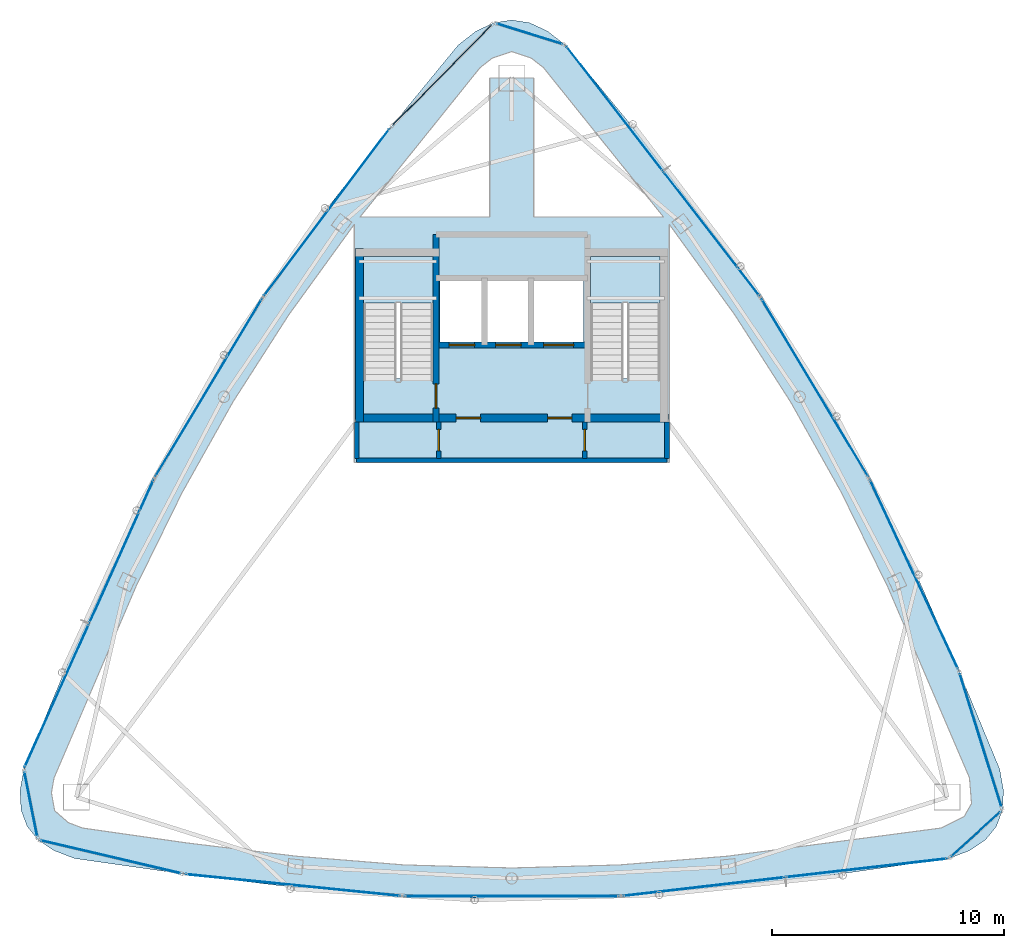
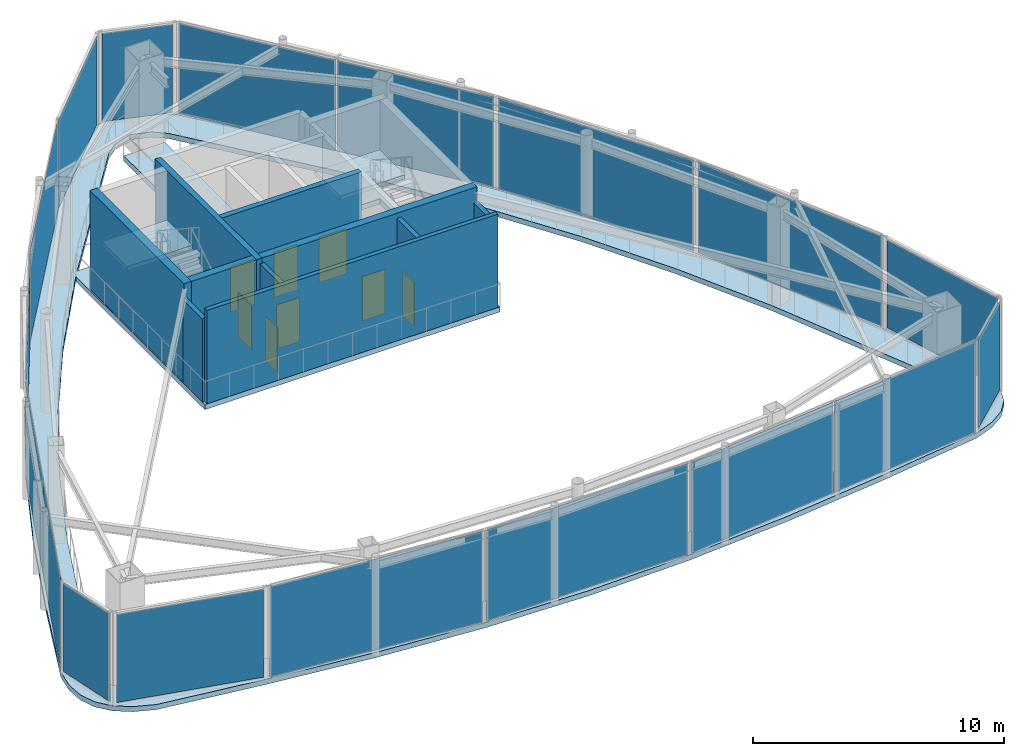
# One storey, part 15 of 19: 18 plates, 9 walls, 8 doors, 3 slabs, 8 openings, 17 elements without a shape of their own.
"""IFC4 building model written with IfcOpenShell, lengths in metres."""

import ifcopenshell
import ifcopenshell.guid

model = None  # the IFC model being written
_history = None  # IfcOwnerHistory: only IFC2X3 demands one
_inside = {}  # id of a spatial element -> (the spatial element, [elements in it])
_under = {}  # id of a project, library or spatial element -> (it, [spatial elements below it])
_declared = {}  # id of a project -> (the project, [libraries it declares])
_typed = {}  # id of a type object -> (the type object, [elements of that type])
_made_of = {}  # id of a material, layer set ... -> (it, [elements and type objects made of it])


def new_model(schema):
    """Start an empty IFC model of exactly this schema.

    Asked for "IFC4X3", IfcOpenShell would pick the latest addendum, in which some entities
    have other attributes; the version numbers below select the first issue.
    IFC2X3 requires an IfcOwnerHistory on every rooted entity: one is made here for all.
    """
    global model, _history
    if schema == "IFC4X3":
        model = ifcopenshell.file(schema_version=(4, 3, 0, 0))
    else:
        model = ifcopenshell.file(schema=schema)
    _inside.clear()
    _under.clear()
    _declared.clear()
    _typed.clear()
    _made_of.clear()
    _history = None
    if model.schema == "IFC2X3":
        org = make("IfcOrganization", Name="unknown")
        user = make(
            "IfcPersonAndOrganization",
            ThePerson=make("IfcPerson", FamilyName="unknown"),
            TheOrganization=org,
        )
        app = make(
            "IfcApplication",
            ApplicationDeveloper=org,
            Version="unknown",
            ApplicationFullName="unknown",
            ApplicationIdentifier="unknown",
        )
        _history = make(
            "IfcOwnerHistory",
            OwningUser=user,
            OwningApplication=app,
            ChangeAction="ADDED",
            CreationDate=0,
        )
    return model


def make(cls, **values):
    """One entity of the class cls with the attributes given. An attribute that is None is left unset."""
    return model.create_entity(
        cls, **{name: value for name, value in values.items() if value is not None}
    )


def rooted(cls, **values):
    """An entity with a GlobalId (a new one), such as an element, a storey or a relation."""
    return make(cls, GlobalId=ifcopenshell.guid.new(), OwnerHistory=_history, **values)


def si_unit(unit_type, name, prefix=None):
    """IfcSIUnit, for example si_unit("LENGTHUNIT", "METRE", prefix="MILLI")."""
    return make("IfcSIUnit", UnitType=unit_type, Prefix=prefix, Name=name)


def assignment(units):
    """IfcUnitAssignment: the units of a project."""
    return None if units is None else make("IfcUnitAssignment", Units=units)


def point(xyz):
    """IfcCartesianPoint."""
    return None if xyz is None else make("IfcCartesianPoint", Coordinates=xyz)


def direction(xyz):
    """IfcDirection."""
    return None if xyz is None else make("IfcDirection", DirectionRatios=xyz)


def frame(location, z_axis=None, x_axis=None):
    """IfcAxis2Placement3D, a coordinate frame: its origin and axes. An axis left out is left unset."""
    return make(
        "IfcAxis2Placement3D",
        Location=point(location),
        Axis=direction(z_axis),
        RefDirection=direction(x_axis),
    )


def frame_2d(location, x_axis=None):
    """IfcAxis2Placement2D, a coordinate frame in the plane: its origin and x axis."""
    return make(
        "IfcAxis2Placement2D", Location=point(location), RefDirection=direction(x_axis)
    )


def origin():
    """The frame at (0, 0, 0) with its axes left unset."""
    return frame((0.0, 0.0, 0.0))


def origin_2d():
    """The frame at (0, 0) in the plane with its x axis left unset."""
    return frame_2d((0.0, 0.0))


def place(relative_to, where):
    """IfcLocalPlacement: puts the frame where relative to a parent placement (None: the world)."""
    return make(
        "IfcLocalPlacement", PlacementRelTo=relative_to, RelativePlacement=where
    )


def context(
    kind, dimensions, precision=None, world=None, true_north=None, identifier=None
):
    """IfcGeometricRepresentationContext, for example the 3D "Model" context."""
    return make(
        "IfcGeometricRepresentationContext",
        ContextIdentifier=identifier,
        ContextType=kind,
        CoordinateSpaceDimension=dimensions,
        Precision=precision,
        WorldCoordinateSystem=world,
        TrueNorth=true_north,
    )


def subcontext(parent, identifier, kind, view, scale=None):
    """IfcGeometricRepresentationSubContext, for example "Body" below "Model"."""
    return make(
        "IfcGeometricRepresentationSubContext",
        ContextIdentifier=identifier,
        ContextType=kind,
        ParentContext=parent,
        TargetScale=scale,
        TargetView=view,
    )


def project(units=None, contexts=None):
    """IfcProject with its units and contexts."""
    return rooted(
        "IfcProject",
        Name="project",
        RepresentationContexts=contexts,
        UnitsInContext=assignment(units),
    )


def spatial(cls, under=None, at=None, **own):
    """A site, building, storey or space (cls), placed at a placement, below another one or the project."""
    s = rooted(cls, ObjectPlacement=at, **own)
    if under is not None:
        _under.setdefault(under.id(), (under, []))[1].append(s)
    return s


def polyline(points):
    """IfcPolyline through the points."""
    return make("IfcPolyline", Points=[point(p) for p in points])


def profile(cls, at=None, kind="AREA", **sizes):
    """A parametric profile (cls). Its sizes go by their IFC names, for example OverallWidth=200.0."""
    return make(cls, ProfileType=kind, Position=at, **sizes)


def rectangle(**sizes):
    """IfcRectangleProfileDef."""
    return profile("IfcRectangleProfileDef", **sizes)


def outline(outer, holes=None, kind="AREA"):
    """IfcArbitraryClosedProfileDef: a profile drawn as a closed curve; with holes, ...WithVoids."""
    if holes is None:
        return make("IfcArbitraryClosedProfileDef", ProfileType=kind, OuterCurve=outer)
    return make(
        "IfcArbitraryProfileDefWithVoids",
        ProfileType=kind,
        OuterCurve=outer,
        InnerCurves=holes,
    )


def extrude(swept, where, along, depth):
    """IfcExtrudedAreaSolid: the profile swept, set in the frame where, extruded along a direction by depth."""
    return make(
        "IfcExtrudedAreaSolid",
        SweptArea=swept,
        Position=where,
        ExtrudedDirection=direction(along),
        Depth=depth,
    )


def shape(context_of_items, identifier, shape_type, items):
    """IfcShapeRepresentation: the items that make up one representation, for example the "Body"."""
    return make(
        "IfcShapeRepresentation",
        ContextOfItems=context_of_items,
        RepresentationIdentifier=identifier,
        RepresentationType=shape_type,
        Items=items,
    )


def material(Name=None, Category=None):
    """IfcMaterial."""
    return make("IfcMaterial", Name=Name, Category=Category)


def layer(
    of_material, thickness, ventilated=None, Name=None, Category=None, Priority=None
):
    """IfcMaterialLayer: one layer of a wall or slab, of a material (None: an air gap)."""
    return make(
        "IfcMaterialLayer",
        Material=of_material,
        LayerThickness=thickness,
        IsVentilated=ventilated,
        Name=Name,
        Category=Category,
        Priority=Priority,
    )


def layer_set(layers, Name=None):
    """IfcMaterialLayerSet."""
    return make("IfcMaterialLayerSet", MaterialLayers=layers, LayerSetName=Name)


def made_of(thing, what):
    """Note that an element or type object is made of a material, layer set ...; save() writes the relation."""
    if what is not None:
        _made_of.setdefault(what.id(), (what, []))[1].append(thing)
    return thing


def type_object(cls, material=None, **own):
    """A type object (cls), such as IfcWallType, which elements share."""
    return made_of(rooted(cls, **own), material)


def element(
    cls,
    number,
    at=None,
    inside=None,
    cuts=None,
    type_object=None,
    material=None,
    context=None,
    identifier="Body",
    shape_type=None,
    held_by="IfcProductDefinitionShape",
    body=None,
    shapes=None,
    **own,
):
    """One element of the class cls, such as IfcWall. Its Tag is "e" and its number.

    at: its placement. inside: the storey or other place that contains it. cuts: it is an
    opening in that element (IfcRelVoidsElement). A single representation is given by context,
    identifier, shape_type and body (its items); several are given by shapes. held_by: the class
    of the entity that holds the representations. save() writes the other relations.
    """
    e = rooted(cls, Tag="e%d" % number, ObjectPlacement=at, **own)
    if body is not None:
        shapes = [shape(context, identifier, shape_type, body)]
    if shapes is not None:
        e.Representation = make(held_by, Representations=shapes)
    if inside is not None:
        _inside.setdefault(inside.id(), (inside, []))[1].append(e)
    if cuts is not None:
        rooted(
            "IfcRelVoidsElement", RelatingBuildingElement=cuts, RelatedOpeningElement=e
        )
    if type_object is not None:
        _typed.setdefault(type_object.id(), (type_object, []))[1].append(e)
    return made_of(e, material)


def fill(opening, filler):
    """IfcRelFillsElement: the door or window that sits in an opening."""
    return rooted(
        "IfcRelFillsElement",
        RelatingOpeningElement=opening,
        RelatedBuildingElement=filler,
    )


def aggregate(whole, parts):
    """IfcRelAggregates: a whole, such as a stair, and the parts it consists of."""
    return rooted("IfcRelAggregates", RelatingObject=whole, RelatedObjects=parts)


def save(model, path):
    """Write the relations noted so far, then the file.

    IfcRelAggregates (storeys below a building ...), IfcRelContainedInSpatialStructure (elements
    in a storey), IfcRelDefinesByType, IfcRelAssociatesMaterial and IfcRelDeclares: one each for
    every whole, place, type object, material and project.
    """
    for whole, parts in _under.values():
        aggregate(whole, parts)
    for where, things in _inside.values():
        rooted(
            "IfcRelContainedInSpatialStructure",
            RelatedElements=things,
            RelatingStructure=where,
        )
    for kind, things in _typed.values():
        rooted("IfcRelDefinesByType", RelatedObjects=things, RelatingType=kind)
    for what, things in _made_of.values():
        rooted("IfcRelAssociatesMaterial", RelatedObjects=things, RelatingMaterial=what)
    for by, libraries in _declared.values():
        rooted("IfcRelDeclares", RelatingContext=by, RelatedDefinitions=libraries)
    model.write(path)


model = new_model("IFC4")

# Units and contexts
model_context = context("Model", 3, precision=1e-05, world=origin(), true_north=direction((0.0, 1.0)))
body_context = subcontext(model_context, "Body", "Model", "MODEL_VIEW")
ifc_project = project(units=[si_unit("LENGTHUNIT", "METRE"), si_unit("AREAUNIT", "SQUARE_METRE"), si_unit("VOLUMEUNIT", "CUBIC_METRE"), si_unit("PLANEANGLEUNIT", "RADIAN"), si_unit("MASSUNIT", "GRAM", prefix="KILO")], contexts=[model_context])

# Site, building, storey
site_placement = place(None, origin())
site = spatial("IfcSite", under=ifc_project, at=site_placement, CompositionType="ELEMENT")
building_placement = place(site_placement, origin())
building = spatial("IfcBuilding", under=site, at=building_placement, Name="Orvanel Arch Residences", CompositionType="ELEMENT")
storey_placement = place(building_placement, frame((0.0, 0.0, 286.10009765625)))
storey = spatial("IfcBuildingStorey", under=building, at=storey_placement, Name="L81", CompositionType="ELEMENT", Elevation=286.10009765625)

# Curtain wall, plate
ifc_material_1 = material(Name="Bronze-anodised aluminium AA6063-T6", Category="aluminium")
ifc_layer_1 = layer(ifc_material_1, 0.2099609375)
ifc_layer_set_1 = layer_set([ifc_layer_1], Name="Bronze-anodised aluminium AA6063-T6")
curtain_wall_type = type_object("IfcCurtainWallType", Name="CW7-TOP-SYS", PredefinedType="NOTDEFINED", material=ifc_layer_set_1)
curtain_wall_1_placement = place(storey_placement, origin())
curtain_wall_1 = element("IfcCurtainWall", 1, at=curtain_wall_1_placement, inside=storey, type_object=curtain_wall_type, Name="L81 CW7-TOP-SYS Unitised Curtain Wall", PredefinedType="NOTDEFINED")
ifc_material_2 = material(Name="Double-glazed solar-control low-E safety glass", Category="glass")
ifc_layer_2 = layer(ifc_material_2, 0.031982421875)
ifc_layer_set_2 = layer_set([ifc_layer_2], Name="Double-glazed solar-control low-E safety glass")
plate_type = type_object("IfcPlateType", Name="PNL-GLZ-32", PredefinedType="CURTAIN_PANEL", material=ifc_layer_set_2)
plate_1_placement = place(storey_placement, frame((33.771484375, 43.30859375, 0.1298828125), z_axis=(0.0, 0.0, 1.0), x_axis=(-0.954819263057, 0.297187104186, 0.0)))
plate_1 = element("IfcPlate", 2, at=plate_1_placement, type_object=plate_type, Name="CW-S7 panel 1.1", PredefinedType="CURTAIN_PANEL", context=body_context, shape_type="SweptSolid", body=[
    extrude(rectangle(XDim=2.893310546875, YDim=0.031982421875, at=origin_2d()), origin(), (0.0, 0.0, 1.0), 4.2900390625),
])
aggregate(curtain_wall_1, [plate_1])

curtain_wall_2_placement = place(storey_placement, origin())
curtain_wall_2 = element("IfcCurtainWall", 3, at=curtain_wall_2_placement, inside=storey, type_object=curtain_wall_type, Name="L81 CW7-TOP-SYS Unitised Curtain Wall", PredefinedType="NOTDEFINED")
plate_2_placement = place(storey_placement, frame((29.99560546875, 41.528564453125, 0.1298828125), z_axis=(0.0, 0.0, 1.0), x_axis=(-0.702658700907, -0.71152705503, 0.0)))
plate_2 = element("IfcPlate", 4, at=plate_2_placement, type_object=plate_type, Name="CW-S7 panel 1.1", PredefinedType="CURTAIN_PANEL", context=body_context, shape_type="SweptSolid", body=[
    extrude(rectangle(XDim=6.0146484375, YDim=0.031982421875, at=origin_2d()), origin(), (0.0, 0.0, 1.0), 4.2900390625),
])
aggregate(curtain_wall_2, [plate_2])

curtain_wall_3_placement = place(storey_placement, origin())
curtain_wall_3 = element("IfcCurtainWall", 5, at=curtain_wall_3_placement, inside=storey, type_object=curtain_wall_type, Name="L81 CW7-TOP-SYS Unitised Curtain Wall", PredefinedType="NOTDEFINED")
plate_3_placement = place(storey_placement, frame((12.236572265625, 10.03857421875, 0.1298828125), z_axis=(0.0, 0.0, 1.0), x_axis=(0.195615366274, -0.980680696495, 0.0)))
plate_3 = element("IfcPlate", 6, at=plate_3_placement, type_object=plate_type, Name="CW-S7 panel 1.1", PredefinedType="CURTAIN_PANEL", context=body_context, shape_type="SweptSolid", body=[
    extrude(rectangle(XDim=2.7724609375, YDim=0.031982421875, at=origin_2d()), origin(), (0.0, 0.0, 1.0), 4.2900390625),
])
aggregate(curtain_wall_3, [plate_3])

curtain_wall_4_placement = place(storey_placement, origin())
curtain_wall_4 = element("IfcCurtainWall", 7, at=curtain_wall_4_placement, inside=storey, type_object=curtain_wall_type, Name="L81 CW7-TOP-SYS Unitised Curtain Wall", PredefinedType="NOTDEFINED")
plate_4_placement = place(storey_placement, frame((15.689453125, 7.77197265625, 0.1298828125), z_axis=(0.0, 0.0, 1.0), x_axis=(0.973510919271, -0.22864052585, 0.0)))
plate_4 = element("IfcPlate", 8, at=plate_4_placement, type_object=plate_type, Name="CW-S7 panel 1.1", PredefinedType="CURTAIN_PANEL", context=body_context, shape_type="SweptSolid", body=[
    extrude(rectangle(XDim=6.12939453125, YDim=0.031982421875, at=origin_2d()), origin(), (0.0, 0.0, 1.0), 4.2900390625),
])
aggregate(curtain_wall_4, [plate_4])

curtain_wall_5_placement = place(storey_placement, origin())
curtain_wall_5 = element("IfcCurtainWall", 9, at=curtain_wall_5_placement, inside=storey, type_object=curtain_wall_type, Name="L81 CW7-TOP-SYS Unitised Curtain Wall", PredefinedType="NOTDEFINED")
plate_5_placement = place(storey_placement, frame((53.035400390625, 8.75244140625, 0.1298828125), z_axis=(0.0, 0.0, 1.0), x_axis=(0.740131415499, 0.672462257522, 0.0)))
plate_5 = element("IfcPlate", 10, at=plate_5_placement, type_object=plate_type, Name="CW-S7 panel 1.1", PredefinedType="CURTAIN_PANEL", context=body_context, shape_type="SweptSolid", body=[
    extrude(rectangle(XDim=2.773681640625, YDim=0.031982421875, at=origin_2d()), origin(), (0.0, 0.0, 1.0), 4.2900390625),
])
aggregate(curtain_wall_5, [plate_5])

curtain_wall_6_placement = place(storey_placement, origin())
curtain_wall_6 = element("IfcCurtainWall", 11, at=curtain_wall_6_placement, inside=storey, type_object=curtain_wall_type, Name="L81 CW7-TOP-SYS Unitised Curtain Wall", PredefinedType="NOTDEFINED")
plate_6_placement = place(storey_placement, frame((53.2451171875, 12.8095703125, 0.1298828125), z_axis=(0.0, 0.0, 1.0), x_axis=(-0.298901573542, 0.954283945864, 0.0)))
plate_6 = element("IfcPlate", 12, at=plate_6_placement, type_object=plate_type, Name="CW-S7 panel 1.1", PredefinedType="CURTAIN_PANEL", context=body_context, shape_type="SweptSolid", body=[
    extrude(rectangle(XDim=5.9697265625, YDim=0.031982421875, at=origin_2d()), origin(), (0.0, 0.0, 1.0), 4.2900390625),
])
aggregate(curtain_wall_6, [plate_6])

curtain_wall_7_placement = place(storey_placement, origin())
curtain_wall_7 = element("IfcCurtainWall", 13, at=curtain_wall_7_placement, inside=storey, type_object=curtain_wall_type, Name="L81 CW7-TOP-SYS Unitised Curtain Wall", PredefinedType="NOTDEFINED")
plate_7_placement = place(storey_placement, frame((25.009521484375, 35.60498046875, 0.06494140625), z_axis=(0.0, 0.0, 1.0), x_axis=(-0.600876351509, -0.799341985759, 0.0)))
plate_7 = element("IfcPlate", 14, at=plate_7_placement, type_object=plate_type, Name="CW-S7 panel 1.1", PredefinedType="CURTAIN_PANEL", context=body_context, shape_type="SweptSolid", body=[
    extrude(rectangle(XDim=8.97509765625, YDim=0.031982421875, at=origin_2d()), origin(), (0.0, 0.0, 1.0), 4.419921875),
])
aggregate(curtain_wall_7, [plate_7])

curtain_wall_8_placement = place(storey_placement, origin())
curtain_wall_8 = element("IfcCurtainWall", 15, at=curtain_wall_8_placement, inside=storey, type_object=curtain_wall_type, Name="L81 CW7-TOP-SYS Unitised Curtain Wall", PredefinedType="NOTDEFINED")
plate_8_placement = place(storey_placement, frame((19.912109375, 28.034423828125, 0.06494140625), z_axis=(0.0, 0.0, 1.0), x_axis=(-0.514447133788, -0.857522096821, 0.0)))
plate_8 = element("IfcPlate", 16, at=plate_8_placement, type_object=plate_type, Name="CW-S7 panel 1.1", PredefinedType="CURTAIN_PANEL", context=body_context, shape_type="SweptSolid", body=[
    extrude(rectangle(XDim=8.923828125, YDim=0.031982421875, at=origin_2d()), origin(), (0.0, 0.0, 1.0), 4.419921875),
])
aggregate(curtain_wall_8, [plate_8])

# Curtain wall, plates
curtain_wall_9_placement = place(storey_placement, origin())
curtain_wall_9 = element("IfcCurtainWall", 17, at=curtain_wall_9_placement, inside=storey, type_object=curtain_wall_type, Name="L81 CW7-TOP-SYS Unitised Curtain Wall", PredefinedType="NOTDEFINED")
plate_9_placement = place(storey_placement, frame((16.147216796875, 20.96044921875, 0.06494140625), z_axis=(0.0, 0.0, 1.0), x_axis=(-0.40935286193, -0.912376147447, 0.0)))
plate_9 = element("IfcPlate", 18, at=plate_9_placement, type_object=plate_type, Name="CW-S7 panel 1.1", PredefinedType="CURTAIN_PANEL", context=body_context, shape_type="SweptSolid", body=[
    extrude(rectangle(XDim=6.751953125, YDim=0.031982421875, at=origin_2d()), origin(), (0.0, 0.0, 1.0), 4.419921875),
])
plate_10_placement = place(storey_placement, frame((13.352783203125, 14.731689453125, 0.06494140625), z_axis=(0.0, 0.0, 1.0), x_axis=(-0.40935286193, -0.912376147447, 0.0)))
plate_10 = element("IfcPlate", 19, at=plate_10_placement, type_object=plate_type, Name="CW-S7 panel 2.1", PredefinedType="CURTAIN_PANEL", context=body_context, shape_type="SweptSolid", body=[
    extrude(rectangle(XDim=6.751953125, YDim=0.031982421875, at=origin_2d()), origin(), (0.0, 0.0, 1.0), 4.419921875),
])
aggregate(curtain_wall_9, [plate_9, plate_10])

# Curtain wall, plate
curtain_wall_10_placement = place(storey_placement, origin())
curtain_wall_10 = element("IfcCurtainWall", 20, at=curtain_wall_10_placement, inside=storey, type_object=curtain_wall_type, Name="L81 CW7-TOP-SYS Unitised Curtain Wall", PredefinedType="NOTDEFINED")
plate_11_placement = place(storey_placement, frame((23.55859375, 6.554931640625, 0.06494140625), z_axis=(0.0, 0.0, 1.0), x_axis=(0.994932912487, -0.10054103466, 0.0)))
plate_11 = element("IfcPlate", 21, at=plate_11_placement, type_object=plate_type, Name="CW-S7 panel 1.1", PredefinedType="CURTAIN_PANEL", context=body_context, shape_type="SweptSolid", body=[
    extrude(rectangle(XDim=9.298828125, YDim=0.031982421875, at=origin_2d()), origin(), (0.0, 0.0, 1.0), 4.419921875),
])
aggregate(curtain_wall_10, [plate_11])

curtain_wall_11_placement = place(storey_placement, origin())
curtain_wall_11 = element("IfcCurtainWall", 22, at=curtain_wall_11_placement, inside=storey, type_object=curtain_wall_type, Name="L81 CW7-TOP-SYS Unitised Curtain Wall", PredefinedType="NOTDEFINED")
plate_12_placement = place(storey_placement, frame((33.0, 6.077880859375, 0.06494140625), z_axis=(0.0, 0.0, 1.0), x_axis=(1.0, 0.0, 0.0)))
plate_12 = element("IfcPlate", 23, at=plate_12_placement, type_object=plate_type, Name="CW-S7 panel 1.1", PredefinedType="CURTAIN_PANEL", context=body_context, shape_type="SweptSolid", body=[
    extrude(rectangle(XDim=9.251953125, YDim=0.031982421875, at=origin_2d()), origin(), (0.0, 0.0, 1.0), 4.419921875),
])
aggregate(curtain_wall_11, [plate_12])

# Curtain wall, plates
curtain_wall_12_placement = place(storey_placement, origin())
curtain_wall_12 = element("IfcCurtainWall", 24, at=curtain_wall_12_placement, inside=storey, type_object=curtain_wall_type, Name="L81 CW7-TOP-SYS Unitised Curtain Wall", PredefinedType="NOTDEFINED")
plate_13_placement = place(storey_placement, frame((41.2900390625, 6.488037109375, 0.06494140625), z_axis=(0.0, 0.0, 1.0), x_axis=(0.9934526127, 0.11424494002, 0.0)))
plate_13 = element("IfcPlate", 25, at=plate_13_placement, type_object=plate_type, Name="CW-S7 panel 1.1", PredefinedType="CURTAIN_PANEL", context=body_context, shape_type="SweptSolid", body=[
    extrude(rectangle(XDim=6.9951171875, YDim=0.031982421875, at=origin_2d()), origin(), (0.0, 0.0, 1.0), 4.419921875),
])
plate_14_placement = place(storey_placement, frame((48.31396484375, 7.2958984375, 0.06494140625), z_axis=(0.0, 0.0, 1.0), x_axis=(0.9934526127, 0.11424494002, 0.0)))
plate_14 = element("IfcPlate", 26, at=plate_14_placement, type_object=plate_type, Name="CW-S7 panel 2.1", PredefinedType="CURTAIN_PANEL", context=body_context, shape_type="SweptSolid", body=[
    extrude(rectangle(XDim=6.9951171875, YDim=0.031982421875, at=origin_2d()), origin(), (0.0, 0.0, 1.0), 4.419921875),
])
aggregate(curtain_wall_12, [plate_13, plate_14])

# Curtain wall, plate
curtain_wall_13_placement = place(storey_placement, origin())
curtain_wall_13 = element("IfcCurtainWall", 27, at=curtain_wall_13_placement, inside=storey, type_object=curtain_wall_type, Name="L81 CW7-TOP-SYS Unitised Curtain Wall", PredefinedType="NOTDEFINED")
plate_15_placement = place(storey_placement, frame((50.366943359375, 19.973388671875, 0.06494140625), z_axis=(0.0, 0.0, 1.0), x_axis=(-0.422363438385, 0.906426569511, 0.0)))
plate_15 = element("IfcPlate", 28, at=plate_15_placement, type_object=plate_type, Name="CW-S7 panel 1.1", PredefinedType="CURTAIN_PANEL", context=body_context, shape_type="SweptSolid", body=[
    extrude(rectangle(XDim=8.974853515625, YDim=0.031982421875, at=origin_2d()), origin(), (0.0, 0.0, 1.0), 4.419921875),
])
aggregate(curtain_wall_13, [plate_15])

curtain_wall_14_placement = place(storey_placement, origin())
curtain_wall_14 = element("IfcCurtainWall", 29, at=curtain_wall_14_placement, inside=storey, type_object=curtain_wall_type, Name="L81 CW7-TOP-SYS Unitised Curtain Wall", PredefinedType="NOTDEFINED")
plate_16_placement = place(storey_placement, frame((46.087890625, 28.034423828125, 0.06494140625), z_axis=(0.0, 0.0, 1.0), x_axis=(-0.514447133788, 0.857522096821, 0.0)))
plate_16 = element("IfcPlate", 30, at=plate_16_placement, type_object=plate_type, Name="CW-S7 panel 1.1", PredefinedType="CURTAIN_PANEL", context=body_context, shape_type="SweptSolid", body=[
    extrude(rectangle(XDim=8.923828125, YDim=0.031982421875, at=origin_2d()), origin(), (0.0, 0.0, 1.0), 4.419921875),
])
aggregate(curtain_wall_14, [plate_16])

# Curtain wall, plates
curtain_wall_15_placement = place(storey_placement, origin())
curtain_wall_15 = element("IfcCurtainWall", 31, at=curtain_wall_15_placement, inside=storey, type_object=curtain_wall_type, Name="L81 CW7-TOP-SYS Unitised Curtain Wall", PredefinedType="NOTDEFINED")
plate_17_placement = place(storey_placement, frame((41.619384765625, 34.686279296875, 0.06494140625), z_axis=(0.0, 0.0, 1.0), x_axis=(-0.612259873102, 0.790656592833, 0.0)))
plate_17 = element("IfcPlate", 32, at=plate_17_placement, type_object=plate_type, Name="CW-S7 panel 1.1", PredefinedType="CURTAIN_PANEL", context=body_context, shape_type="SweptSolid", body=[
    extrude(rectangle(XDim=6.75146484375, YDim=0.031982421875, at=origin_2d()), origin(), (0.0, 0.0, 1.0), 4.419921875),
])
plate_18_placement = place(storey_placement, frame((37.439697265625, 40.083740234375, 0.06494140625), z_axis=(0.0, 0.0, 1.0), x_axis=(-0.612259873102, 0.790656592833, 0.0)))
plate_18 = element("IfcPlate", 33, at=plate_18_placement, type_object=plate_type, Name="CW-S7 panel 2.1", PredefinedType="CURTAIN_PANEL", context=body_context, shape_type="SweptSolid", body=[
    extrude(rectangle(XDim=6.75146484375, YDim=0.031982421875, at=origin_2d()), origin(), (0.0, 0.0, 1.0), 4.419921875),
])
aggregate(curtain_wall_15, [plate_17, plate_18])

# Slab
ifc_material_3 = material(Name="Concrete N40 (40 MPa)", Category="concrete")
ifc_layer_3 = layer(ifc_material_3, 0.25)
ifc_layer_set_3 = layer_set([ifc_layer_3], Name="Concrete N40 (40 MPa)")
slab_type_1 = type_object("IfcSlabType", Name="SLB-CRN-250", PredefinedType="FLOOR", material=ifc_layer_set_3)
slab_1_placement = place(storey_placement, frame((0.0, 0.0, -0.25)))
element("IfcSlab", 34, at=slab_1_placement, inside=storey, type_object=slab_type_1, Name="L81 Crown Conservatory Ring Gallery Slab", PredefinedType="FLOOR", context=body_context, shape_type="SweptSolid", body=[
    extrude(outline(polyline([(35.31494140625, 42.827880859375), (34.54296875, 43.428955078125), (33.77197265625, 43.7890625), (33.0, 43.908935546875), (32.22802734375, 43.7890625), (31.45703125, 43.428955078125), (30.68505859375, 42.827880859375), (27.762939453125, 39.26806640625), (24.927978515625, 35.654052734375), (22.256103515625, 31.94189453125), (19.797119140625, 28.10400390625), (17.568115234375, 24.126953125), (15.552001953125, 20.02197265625), (13.697998046875, 15.820068359375), (11.931884765625, 11.56494140625), (11.76611328125, 10.6220703125), (11.81201171875, 9.799072265625), (12.071044921875, 9.094970703125), (12.541015625, 8.511962890625), (13.222900390625, 8.049072265625), (14.116943359375, 7.7060546875), (18.837890625, 7.031982421875), (23.55908203125, 6.4599609375), (28.279052734375, 6.077880859375), (33.0, 5.944091796875), (37.720947265625, 6.077880859375), (42.44091796875, 6.4599609375), (47.162109375, 7.031982421875), (51.883056640625, 7.7060546875), (52.777099609375, 8.049072265625), (53.458984375, 8.511962890625), (53.928955078125, 9.094970703125), (54.18798828125, 9.799072265625), (54.23388671875, 10.6220703125), (54.068115234375, 11.56494140625), (52.302001953125, 15.820068359375), (50.447998046875, 20.02197265625), (48.431884765625, 24.126953125), (46.202880859375, 28.10400390625), (43.743896484375, 31.94189453125), (41.072021484375, 35.654052734375), (38.237060546875, 39.26806640625), (35.31494140625, 42.827880859375)]), holes=[polyline([(26.60009765625, 28.429931640625), (26.60009765625, 33.699951171875), (29.60009765625, 33.699951171875), (29.60009765625, 28.429931640625), (26.60009765625, 28.429931640625)]), polyline([(36.39990234375, 28.429931640625), (36.39990234375, 33.699951171875), (39.39990234375, 33.699951171875), (39.39990234375, 28.429931640625), (36.39990234375, 28.429931640625)]), polyline([(29.89990234375, 32.64990234375), (31.75, 32.64990234375), (31.75, 29.949951171875), (29.89990234375, 29.949951171875), (29.89990234375, 32.64990234375)]), polyline([(31.89990234375, 32.64990234375), (33.75, 32.64990234375), (33.75, 29.949951171875), (31.89990234375, 29.949951171875), (31.89990234375, 32.64990234375)]), polyline([(33.89990234375, 32.64990234375), (36.10009765625, 32.64990234375), (36.10009765625, 29.949951171875), (33.89990234375, 29.949951171875), (33.89990234375, 32.64990234375)]), polyline([(39.554931640625, 35.39990234375), (33.949951171875, 35.39990234375), (33.949951171875, 41.39794921875), (32.050048828125, 41.39794921875), (32.050048828125, 35.39990234375), (26.445068359375, 35.39990234375), (31.633056640625, 41.85498046875), (32.166015625, 42.27001953125), (33.0, 42.54296875), (33.833984375, 42.27001953125), (34.366943359375, 41.85498046875), (39.554931640625, 35.39990234375)]), polyline([(42.626953125, 31.18310546875), (45.044921875, 27.408935546875), (47.236083984375, 23.4990234375), (49.22412109375, 19.451904296875), (52.763916015625, 11.18505859375), (52.85107421875, 10.075927734375), (52.533935546875, 9.51611328125), (51.5419921875, 9.02099609375), (42.304931640625, 7.802978515625), (37.64697265625, 7.426025390625), (33.0, 7.294921875), (28.35302734375, 7.426025390625), (23.695068359375, 7.802978515625), (19.014892578125, 8.3701171875), (14.4580078125, 9.02099609375), (13.85205078125, 9.25390625), (13.260986328125, 9.76904296875), (13.123046875, 10.5419921875), (13.236083984375, 11.18505859375), (16.77587890625, 19.451904296875), (18.763916015625, 23.4990234375), (20.955078125, 27.408935546875), (23.373046875, 31.18310546875), (26.199951171875, 35.087890625), (26.199951171875, 24.800048828125), (39.800048828125, 24.800048828125), (39.800048828125, 35.087890625), (42.626953125, 31.18310546875)])]), origin(), (0.0, 0.0, 1.0), 0.25),
])

# Stair, slab
ifc_material_4 = material(Name="Precast concrete N50 (50 MPa)", Category="concrete")
stair_type = type_object("IfcStairType", Name="STR-DOG-184", PredefinedType="USERDEFINED", material=ifc_material_4)
stair_1_placement = place(storey_placement, origin())
stair_1 = element("IfcStair", 35, at=stair_1_placement, inside=storey, type_object=stair_type, Name="L81 Fire-Isolated Core Exit Stair 1", ObjectType="TWO_RETURN_STAIR", PredefinedType="USERDEFINED")
ifc_layer_4 = layer(ifc_material_3, 0.199951171875)
ifc_layer_set_4 = layer_set([ifc_layer_4], Name="Concrete N40 (40 MPa)")
slab_type_2 = type_object("IfcSlabType", Name="SLB-LND-200", PredefinedType="LANDING", material=ifc_layer_set_4)
slab_2_placement = place(storey_placement, frame((0.0, 0.0, 2.199951171875)))
slab_2 = element("IfcSlab", 36, at=slab_2_placement, type_object=slab_type_2, Name="ST-1 landing 1", PredefinedType="LANDING", context=body_context, shape_type="SweptSolid", body=[
    extrude(outline(polyline([(29.60009765625, 31.679931640625), (29.60009765625, 33.699951171875), (26.60009765625, 33.699951171875), (26.60009765625, 31.679931640625), (29.60009765625, 31.679931640625)])), origin(), (0.0, 0.0, 1.0), 0.199951171875),
])
aggregate(stair_1, [slab_2])

stair_2_placement = place(storey_placement, origin())
stair_2 = element("IfcStair", 37, at=stair_2_placement, inside=storey, type_object=stair_type, Name="L81 Fire-Isolated Core Exit Stair 2", ObjectType="TWO_RETURN_STAIR", PredefinedType="USERDEFINED")
slab_3_placement = place(storey_placement, frame((0.0, 0.0, 2.199951171875)))
slab_3 = element("IfcSlab", 38, at=slab_3_placement, type_object=slab_type_2, Name="ST-2 landing 1", PredefinedType="LANDING", context=body_context, shape_type="SweptSolid", body=[
    extrude(outline(polyline([(39.39990234375, 31.679931640625), (39.39990234375, 33.699951171875), (36.39990234375, 33.699951171875), (36.39990234375, 31.679931640625), (39.39990234375, 31.679931640625)])), origin(), (0.0, 0.0, 1.0), 0.199951171875),
])
aggregate(stair_2, [slab_3])

# Wall, opening, door
ifc_material_5 = material(Name="Concrete N50 (50 MPa)", Category="concrete")
ifc_layer_5 = layer(ifc_material_5, 0.25)
ifc_layer_set_5 = layer_set([ifc_layer_5], Name="Concrete N50 (50 MPa)")
wall_type_1 = type_object("IfcWallType", Name="SW-CORE-250", PredefinedType="SHEAR", material=ifc_layer_set_5)
wall_1_placement = place(storey_placement, frame((29.72509765625, 26.550048828125, 0.0), z_axis=(0.0, 0.0, 1.0), x_axis=(0.0, 1.0, 0.0)))
wall_1 = element("IfcWall", 39, at=wall_1_placement, inside=storey, type_object=wall_type_1, Name="L81 West Inner Core Spine Shear Wall", PredefinedType="SHEAR", context=body_context, shape_type="SweptSolid", body=[
    extrude(rectangle(XDim=8.099853515625, YDim=0.25, at=frame_2d((4.0498046875, 0.0))), origin(), (0.0, 0.0, 1.0), 4.7998046875),
])
opening_1_placement = place(wall_1_placement, frame((0.60009765625, 0.0, 0.0)))
opening_1 = element("IfcOpeningElement", 40, at=opening_1_placement, cuts=wall_1, Name="Opening DF-120", PredefinedType="OPENING", context=body_context, shape_type="SweptSolid", body=[
    extrude(rectangle(XDim=1.050048828125, YDim=2.14990234375, at=frame_2d((0.52490234375, 1.074951171875))), frame((0.0, 0.135009765625, 0.0), z_axis=(0.0, -1.0, 0.0), x_axis=(1.0, 0.0, 0.0)), (0.0, 0.0, 1.0), 0.27001953125),
])
ifc_material_6 = material(Name="Galvanised steel fire-resisting door assembly", Category="steel")
door_type_1 = type_object("IfcDoorType", Name="DR-FD120-1050", OperationType="NOTDEFINED", PredefinedType="DOOR", material=ifc_material_6)
door_1_placement = place(opening_1_placement, origin())
door_1 = element("IfcDoor", 41, at=door_1_placement, inside=storey, type_object=door_type_1, Name="DR-L81-ST1 L81 Stair 1 Fire Door", OperationType="SINGLE_SWING_LEFT", OverallHeight=2.14990234375, OverallWidth=1.050048828125, PredefinedType="DOOR", context=body_context, shape_type="SweptSolid", body=[
    extrude(rectangle(XDim=1.050048828125, YDim=2.14990234375, at=frame_2d((0.52490234375, 1.074951171875))), frame((0.0, 0.02490234375, 0.0), z_axis=(0.0, -1.0, 0.0), x_axis=(1.0, 0.0, 0.0)), (0.0, 0.0, 1.0), 0.050048828125),
])
fill(opening_1, door_1)

# Wall, openings, doors
wall_2_placement = place(storey_placement, frame((36.27490234375, 29.875, 0.0), z_axis=(0.0, 0.0, 1.0), x_axis=(-1.0, 0.0, 0.0)))
wall_2 = element("IfcWall", 42, at=wall_2_placement, inside=storey, type_object=wall_type_1, Name="L81 Emergency Lift Front Core Shear Wall", PredefinedType="SHEAR", context=body_context, shape_type="SweptSolid", body=[
    extrude(rectangle(XDim=6.5498046875, YDim=0.25, at=frame_2d((3.27490234375, 0.0))), origin(), (0.0, 0.0, 1.0), 4.7998046875),
])
opening_2_placement = place(wall_2_placement, frame((4.875, 0.0, 0.0)))
opening_2 = element("IfcOpeningElement", 43, at=opening_2_placement, cuts=wall_2, Name="Opening LD-110", PredefinedType="OPENING", context=body_context, shape_type="SweptSolid", body=[
    extrude(rectangle(XDim=1.10009765625, YDim=2.199951171875, at=frame_2d((0.550048828125, 1.10009765625))), frame((0.0, 0.135009765625, 0.0), z_axis=(0.0, -1.0, 0.0), x_axis=(1.0, 0.0, 0.0)), (0.0, 0.0, 1.0), 0.27001953125),
])
opening_3_placement = place(wall_2_placement, frame((2.875, 0.0, 0.0)))
opening_3 = element("IfcOpeningElement", 44, at=opening_3_placement, cuts=wall_2, Name="Opening LD-110", PredefinedType="OPENING", context=body_context, shape_type="SweptSolid", body=[
    extrude(rectangle(XDim=1.10009765625, YDim=2.199951171875, at=frame_2d((0.550048828125, 1.10009765625))), frame((0.0, 0.135009765625, 0.0), z_axis=(0.0, -1.0, 0.0), x_axis=(1.0, 0.0, 0.0)), (0.0, 0.0, 1.0), 0.27001953125),
])
opening_4_placement = place(wall_2_placement, frame((0.60009765625, 0.0, 0.0)))
opening_4 = element("IfcOpeningElement", 45, at=opening_4_placement, cuts=wall_2, Name="Opening LD-130", PredefinedType="OPENING", context=body_context, shape_type="SweptSolid", body=[
    extrude(rectangle(XDim=1.300048828125, YDim=2.199951171875, at=frame_2d((0.64990234375, 1.10009765625))), frame((0.0, 0.135009765625, 0.0), z_axis=(0.0, -1.0, 0.0), x_axis=(1.0, 0.0, 0.0)), (0.0, 0.0, 1.0), 0.27001953125),
])
door_type_2 = type_object("IfcDoorType", Name="DR-LFT-1100", OperationType="NOTDEFINED", PredefinedType="DOOR", material=ifc_material_6)
door_2_placement = place(opening_2_placement, origin())
door_2 = element("IfcDoor", 46, at=door_2_placement, inside=storey, type_object=door_type_2, Name="LD-F1-L81 L81 Lift F1 Sliding Landing Door", OperationType="DOUBLE_DOOR_SLIDING", OverallHeight=2.199951171875, OverallWidth=1.10009765625, PredefinedType="DOOR", context=body_context, shape_type="SweptSolid", body=[
    extrude(rectangle(XDim=1.10009765625, YDim=2.199951171875, at=frame_2d((0.550048828125, 1.10009765625))), frame((0.0, 0.02490234375, 0.0), z_axis=(0.0, -1.0, 0.0), x_axis=(1.0, 0.0, 0.0)), (0.0, 0.0, 1.0), 0.050048828125),
])
fill(opening_2, door_2)
door_3_placement = place(opening_3_placement, origin())
door_3 = element("IfcDoor", 47, at=door_3_placement, inside=storey, type_object=door_type_2, Name="LD-F2-L81 L81 Lift F2 Sliding Landing Door", OperationType="DOUBLE_DOOR_SLIDING", OverallHeight=2.199951171875, OverallWidth=1.10009765625, PredefinedType="DOOR", context=body_context, shape_type="SweptSolid", body=[
    extrude(rectangle(XDim=1.10009765625, YDim=2.199951171875, at=frame_2d((0.550048828125, 1.10009765625))), frame((0.0, 0.02490234375, 0.0), z_axis=(0.0, -1.0, 0.0), x_axis=(1.0, 0.0, 0.0)), (0.0, 0.0, 1.0), 0.050048828125),
])
fill(opening_3, door_3)
door_type_3 = type_object("IfcDoorType", Name="DR-LFT-1300", OperationType="NOTDEFINED", PredefinedType="DOOR", material=ifc_material_6)
door_4_placement = place(opening_4_placement, origin())
door_4 = element("IfcDoor", 48, at=door_4_placement, inside=storey, type_object=door_type_3, Name="LD-G1-L81 L81 Lift G1 Sliding Landing Door", OperationType="DOUBLE_DOOR_SLIDING", OverallHeight=2.199951171875, OverallWidth=1.300048828125, PredefinedType="DOOR", context=body_context, shape_type="SweptSolid", body=[
    extrude(rectangle(XDim=1.300048828125, YDim=2.199951171875, at=frame_2d((0.64990234375, 1.10009765625))), frame((0.0, 0.02490234375, 0.0), z_axis=(0.0, -1.0, 0.0), x_axis=(1.0, 0.0, 0.0)), (0.0, 0.0, 1.0), 0.050048828125),
])
fill(opening_4, door_4)

ifc_layer_6 = layer(ifc_material_5, 0.35009765625)
ifc_layer_set_6 = layer_set([ifc_layer_6], Name="Concrete N50 (50 MPa)")
wall_type_2 = type_object("IfcWallType", Name="SW-CORE-350", PredefinedType="SHEAR", material=ifc_layer_set_6)
wall_3_placement = place(storey_placement, frame((26.25, 26.72509765625, 0.0), z_axis=(0.0, 0.0, 1.0), x_axis=(1.0, 0.0, 0.0)))
wall_3 = element("IfcWall", 49, at=wall_3_placement, inside=storey, type_object=wall_type_2, Name="L81 South Core Shear Wall", PredefinedType="SHEAR", context=body_context, shape_type="SweptSolid", body=[
    extrude(rectangle(XDim=13.5, YDim=0.35009765625, at=frame_2d((6.75, 0.0))), origin(), (0.0, 0.0, 1.0), 4.7998046875),
])
opening_5_placement = place(wall_3_placement, frame((4.35009765625, 0.0, 0.0)))
opening_5 = element("IfcOpeningElement", 50, at=opening_5_placement, cuts=wall_3, Name="Opening DF-060", PredefinedType="OPENING", context=body_context, shape_type="SweptSolid", body=[
    extrude(rectangle(XDim=1.050048828125, YDim=2.14990234375, at=frame_2d((0.52490234375, 1.074951171875))), frame((0.0, 0.18505859375, 0.0), z_axis=(0.0, -1.0, 0.0), x_axis=(1.0, 0.0, 0.0)), (0.0, 0.0, 1.0), 0.3701171875),
])
opening_6_placement = place(wall_3_placement, frame((8.300048828125, 0.0, 0.0)))
opening_6 = element("IfcOpeningElement", 51, at=opening_6_placement, cuts=wall_3, Name="Opening DF-060", PredefinedType="OPENING", context=body_context, shape_type="SweptSolid", body=[
    extrude(rectangle(XDim=1.050048828125, YDim=2.14990234375, at=frame_2d((0.52490234375, 1.074951171875))), frame((0.0, 0.18505859375, 0.0), z_axis=(0.0, -1.0, 0.0), x_axis=(1.0, 0.0, 0.0)), (0.0, 0.0, 1.0), 0.3701171875),
])
door_type_4 = type_object("IfcDoorType", Name="DR-FD60-1050", OperationType="NOTDEFINED", PredefinedType="DOOR", material=ifc_material_6)
door_5_placement = place(opening_5_placement, origin())
door_5 = element("IfcDoor", 52, at=door_5_placement, inside=storey, type_object=door_type_4, Name="DR-L81-FFL-W L81 West Smoke Lobby Door", OperationType="SINGLE_SWING_LEFT", OverallHeight=2.14990234375, OverallWidth=1.050048828125, PredefinedType="DOOR", context=body_context, shape_type="SweptSolid", body=[
    extrude(rectangle(XDim=1.050048828125, YDim=2.14990234375, at=frame_2d((0.52490234375, 1.074951171875))), frame((0.0, 0.02490234375, 0.0), z_axis=(0.0, -1.0, 0.0), x_axis=(1.0, 0.0, 0.0)), (0.0, 0.0, 1.0), 0.050048828125),
])
fill(opening_5, door_5)
door_6_placement = place(opening_6_placement, origin())
door_6 = element("IfcDoor", 53, at=door_6_placement, inside=storey, type_object=door_type_4, Name="DR-L81-FFL-E L81 East Smoke Lobby Door", OperationType="SINGLE_SWING_RIGHT", OverallHeight=2.14990234375, OverallWidth=1.050048828125, PredefinedType="DOOR", context=body_context, shape_type="SweptSolid", body=[
    extrude(rectangle(XDim=1.050048828125, YDim=2.14990234375, at=frame_2d((0.52490234375, 1.074951171875))), frame((0.0, 0.02490234375, 0.0), z_axis=(0.0, -1.0, 0.0), x_axis=(1.0, 0.0, 0.0)), (0.0, 0.0, 1.0), 0.050048828125),
])
fill(opening_6, door_6)

# Walls
wall_4_placement = place(storey_placement, frame((26.425048828125, 26.550048828125, 0.0), z_axis=(0.0, 0.0, 1.0), x_axis=(0.0, 1.0, 0.0)))
element("IfcWall", 54, at=wall_4_placement, inside=storey, type_object=wall_type_2, Name="L81 West Stair Shear Wall", PredefinedType="SHEAR", context=body_context, shape_type="SweptSolid", body=[
    extrude(rectangle(XDim=7.5, YDim=0.35009765625, at=frame_2d((3.75, 0.0))), origin(), (0.0, 0.0, 1.0), 4.7998046875),
])
ifc_material_7 = material(Name="Fire-rated plasterboard lined steel stud partition", Category="steel")
ifc_layer_7 = layer(ifc_material_7, 0.199951171875)
ifc_layer_set_7 = layer_set([ifc_layer_7], Name="Fire-rated plasterboard lined steel stud partition")
wall_type_3 = type_object("IfcWallType", Name="W-PLT-200", PredefinedType="PARTITIONING", material=ifc_layer_set_7)
wall_5_placement = place(storey_placement, frame((26.300048828125, 24.89990234375, 0.0), z_axis=(0.0, 0.0, 1.0), x_axis=(1.0, 0.0, 0.0)))
element("IfcWall", 55, at=wall_5_placement, inside=storey, type_object=wall_type_3, Name="L81 Crown Plant Apron South Wall", PredefinedType="PARTITIONING", context=body_context, shape_type="SweptSolid", body=[
    extrude(rectangle(XDim=13.39990234375, YDim=0.199951171875, at=frame_2d((6.699951171875, 0.0))), origin(), (0.0, 0.0, 1.0), 4.5498046875),
])
for number, where, z_axis, x_axis, name in (
    (56, (26.300048828125, 24.985107421875, 0.0), (0.0, 0.0, 1.0), (0.0, 1.0, 0.0), "L81 Crown Plant Apron West Wall"),
    (57, (39.699951171875, 24.985107421875, 0.0), (0.0, 0.0, 1.0), (0.0, 1.0, 0.0), "L81 Crown Plant Apron East Wall"),
):
    element("IfcWall", number, at=place(storey_placement, frame(where, z_axis=z_axis, x_axis=x_axis)), inside=storey, type_object=wall_type_3, Name=name, PredefinedType="PARTITIONING", context=body_context, shape_type="SweptSolid", body=[
        extrude(rectangle(XDim=1.56494140625, YDim=0.199951171875, at=frame_2d((0.782470703125, 0.0))), origin(), (0.0, 0.0, 1.0), 4.054931640625),
    ])

# Wall, opening, door
wall_6_placement = place(storey_placement, frame((29.85009765625, 24.985107421875, 0.0), z_axis=(0.0, 0.0, 1.0), x_axis=(0.0, 1.0, 0.0)))
wall_6 = element("IfcWall", 58, at=wall_6_placement, inside=storey, type_object=wall_type_3, Name="L81 West Crown Mechanical Plant Wall", PredefinedType="PARTITIONING", context=body_context, shape_type="SweptSolid", body=[
    extrude(rectangle(XDim=1.56494140625, YDim=0.199951171875, at=frame_2d((0.782470703125, 0.0))), origin(), (0.0, 0.0, 1.0), 4.5498046875),
])
opening_7_placement = place(wall_6_placement, frame((0.322998046875, 0.0, 0.0)))
opening_7 = element("IfcOpeningElement", 59, at=opening_7_placement, cuts=wall_6, Name="Opening DA-092", PredefinedType="OPENING", context=body_context, shape_type="SweptSolid", body=[
    extrude(rectangle(XDim=0.919921875, YDim=2.14990234375, at=frame_2d((0.4599609375, 1.074951171875))), frame((0.0, 0.10986328125, 0.0), z_axis=(0.0, -1.0, 0.0), x_axis=(1.0, 0.0, 0.0)), (0.0, 0.0, 1.0), 0.219970703125),
])
ifc_material_8 = material(Name="Solid-core European oak veneer fire door leaf", Category="wood")
door_type_5 = type_object("IfcDoorType", Name="DR-APT-920", OperationType="NOTDEFINED", PredefinedType="DOOR", material=ifc_material_8)
door_7_placement = place(opening_7_placement, origin())
door_7 = element("IfcDoor", 60, at=door_7_placement, inside=storey, type_object=door_type_5, Name="DR-L81-CRNW L81 West Crown Winter Garden Mechanical Plant Door", OperationType="SINGLE_SWING_LEFT", OverallHeight=2.14990234375, OverallWidth=0.919921875, PredefinedType="DOOR", context=body_context, shape_type="SweptSolid", body=[
    extrude(rectangle(XDim=0.919921875, YDim=2.14990234375, at=frame_2d((0.4599609375, 1.074951171875))), frame((0.0, 0.02490234375, 0.0), z_axis=(0.0, -1.0, 0.0), x_axis=(1.0, 0.0, 0.0)), (0.0, 0.0, 1.0), 0.050048828125),
])
fill(opening_7, door_7)

wall_7_placement = place(storey_placement, frame((36.14990234375, 24.985107421875, 0.0), z_axis=(0.0, 0.0, 1.0), x_axis=(0.0, 1.0, 0.0)))
wall_7 = element("IfcWall", 61, at=wall_7_placement, inside=storey, type_object=wall_type_3, Name="L81 East Crown Mechanical Plant Wall", PredefinedType="PARTITIONING", context=body_context, shape_type="SweptSolid", body=[
    extrude(rectangle(XDim=1.56494140625, YDim=0.199951171875, at=frame_2d((0.782470703125, 0.0))), origin(), (0.0, 0.0, 1.0), 4.5498046875),
])
opening_8_placement = place(wall_7_placement, frame((0.322998046875, 0.0, 0.0)))
opening_8 = element("IfcOpeningElement", 62, at=opening_8_placement, cuts=wall_7, Name="Opening DA-092", PredefinedType="OPENING", context=body_context, shape_type="SweptSolid", body=[
    extrude(rectangle(XDim=0.919921875, YDim=2.14990234375, at=frame_2d((0.4599609375, 1.074951171875))), frame((0.0, 0.10986328125, 0.0), z_axis=(0.0, -1.0, 0.0), x_axis=(1.0, 0.0, 0.0)), (0.0, 0.0, 1.0), 0.219970703125),
])
door_8_placement = place(opening_8_placement, origin())
door_8 = element("IfcDoor", 63, at=door_8_placement, inside=storey, type_object=door_type_5, Name="DR-L81-CRNE L81 East Crown Winter Garden Mechanical Plant Door", OperationType="SINGLE_SWING_RIGHT", OverallHeight=2.14990234375, OverallWidth=0.919921875, PredefinedType="DOOR", context=body_context, shape_type="SweptSolid", body=[
    extrude(rectangle(XDim=0.919921875, YDim=2.14990234375, at=frame_2d((0.4599609375, 1.074951171875))), frame((0.0, 0.02490234375, 0.0), z_axis=(0.0, -1.0, 0.0), x_axis=(1.0, 0.0, 0.0)), (0.0, 0.0, 1.0), 0.050048828125),
])
fill(opening_8, door_8)

save(model, "model.ifc")
